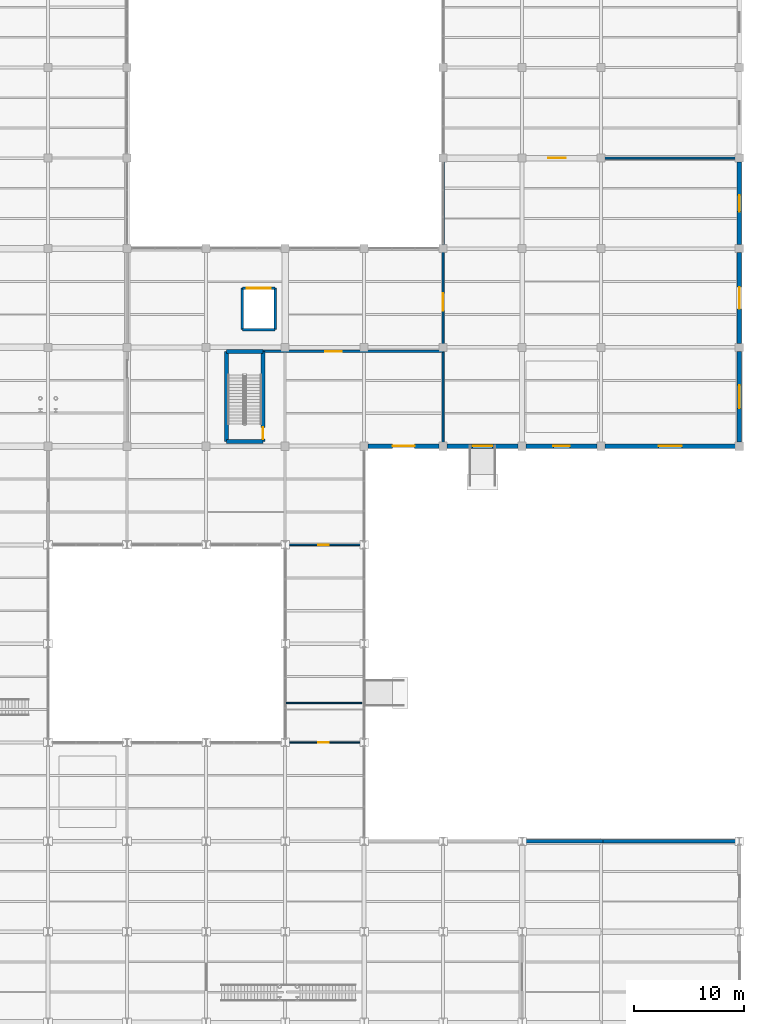
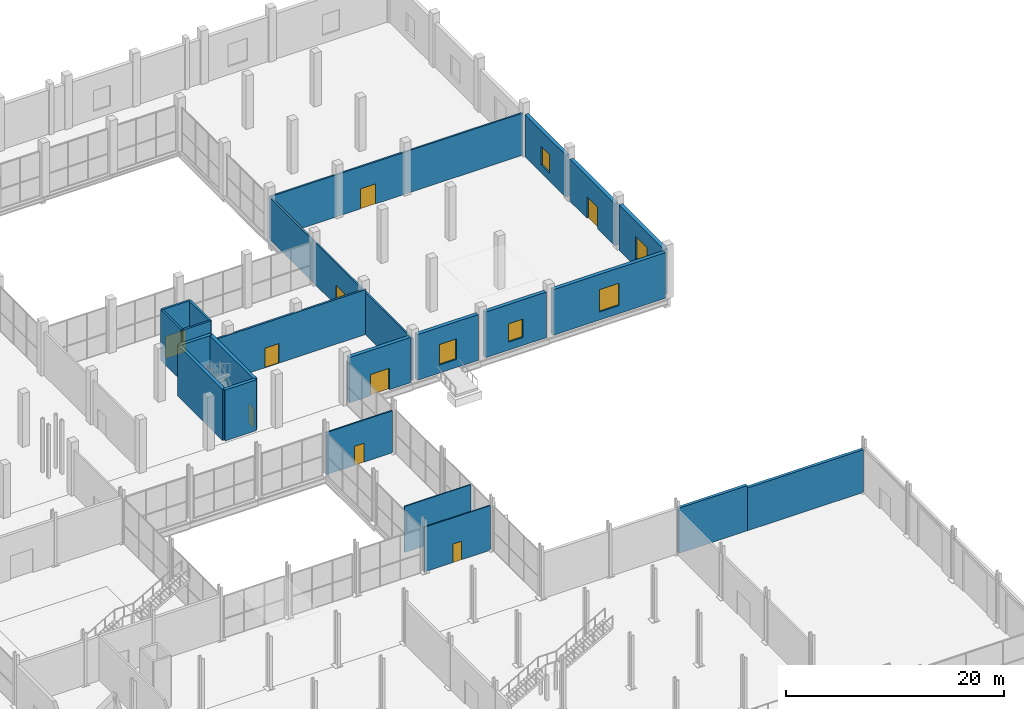
# One storey, part 131 of 144: 23 walls, 9 doors, 5 windows, 14 openings.
"""IFC4 building model written with IfcOpenShell, lengths in metres."""

from ifc_helpers import new_model, si_unit, direction, frame, frame_2d, origin, place, context, subcontext, project, spatial, rectangle, extrude, material, layer, layer_set, type_object, element, fill, save


model = new_model("IFC4")

# Units and contexts
model_context = context("Model", 3, precision=1e-05, world=origin(), true_north=direction((0.0, 1.0)))
body_context = subcontext(model_context, "Body", "Model", "MODEL_VIEW")
ifc_project = project(units=[si_unit("LENGTHUNIT", "METRE"), si_unit("AREAUNIT", "SQUARE_METRE"), si_unit("VOLUMEUNIT", "CUBIC_METRE"), si_unit("PLANEANGLEUNIT", "RADIAN"), si_unit("MASSUNIT", "GRAM", prefix="KILO")], contexts=[model_context])

# Site, building, storey
site_placement = place(None, origin())
site = spatial("IfcSite", under=ifc_project, at=site_placement, CompositionType="ELEMENT")
building_placement = place(site_placement, origin())
building = spatial("IfcBuilding", under=site, at=building_placement, Name="Sundgate Opera House", CompositionType="ELEMENT")
storey_placement = place(building_placement, origin())
storey = spatial("IfcBuildingStorey", under=building, at=storey_placement, Name="L00", CompositionType="ELEMENT", Elevation=0.0)

# Walls
ifc_material_1 = material(Name="Concrete C40/50", Category="concrete")
ifc_layer_1 = layer(ifc_material_1, 0.35009765625)
ifc_layer_set_1 = layer_set([ifc_layer_1], Name="Concrete C40/50")
wall_type_1 = type_object("IfcWallType", Name="WL-CORE-350", PredefinedType="SHEAR", material=ifc_layer_set_1)
for number, where, z_axis, x_axis, name in (
    (1, (133.260009765625, 69.409912109375, 0.0), (0.0, 0.0, 1.0), (1.0, 0.0, 0.0), "L00 C6 South Shaft Wall"),
    (2, (133.260009765625, 77.639892578125, 0.0), (0.0, 0.0, 1.0), (1.0, 0.0, 0.0), "L00 C6 North Shaft Wall"),
):
    element("IfcWall", number, at=place(storey_placement, frame(where, z_axis=z_axis, x_axis=x_axis)), inside=storey, type_object=wall_type_1, Name=name, PredefinedType="SHEAR", context=body_context, shape_type="SweptSolid", body=[
        extrude(rectangle(XDim=3.330078125, YDim=0.35009765625, at=frame_2d((1.6650390625, 0.0))), origin(), (0.0, 0.0, 1.0), 5.699951171875),
    ])
wall_1_placement = place(storey_placement, frame((133.260009765625, 69.409912109375, 0.0), z_axis=(0.0, 0.0, 1.0), x_axis=(0.0, 1.0, 0.0)))
element("IfcWall", 3, at=wall_1_placement, inside=storey, type_object=wall_type_1, Name="L00 C6 West Shaft Wall", PredefinedType="SHEAR", context=body_context, shape_type="SweptSolid", body=[
    extrude(rectangle(XDim=8.22998046875, YDim=0.35009765625, at=frame_2d((4.114990234375, 0.0))), origin(), (0.0, 0.0, 1.0), 5.699951171875),
])

# Wall, opening, door
wall_2_placement = place(storey_placement, frame((136.590087890625, 69.409912109375, 0.0), z_axis=(0.0, 0.0, 1.0), x_axis=(0.0, 1.0, 0.0)))
wall_2 = element("IfcWall", 4, at=wall_2_placement, inside=storey, type_object=wall_type_1, Name="L00 C6 East Shaft Wall", PredefinedType="SHEAR", context=body_context, shape_type="SweptSolid", body=[
    extrude(rectangle(XDim=8.22998046875, YDim=0.35009765625, at=frame_2d((4.114990234375, 0.0))), origin(), (0.0, 0.0, 1.0), 5.699951171875),
])
opening_1_placement = place(wall_2_placement, frame((0.239990234375, 0.0, 0.0)))
opening_1 = element("IfcOpeningElement", 5, at=opening_1_placement, cuts=wall_2, Name="Opening DI01", PredefinedType="OPENING", context=body_context, shape_type="SweptSolid", body=[
    extrude(rectangle(XDim=1.050048828125, YDim=2.179931640625, at=frame_2d((0.52490234375, 1.08984375))), frame((0.0, 0.18505859375, 0.0), z_axis=(0.0, -1.0, 0.0), x_axis=(1.0, 0.0, 0.0)), (0.0, 0.0, 1.0), 0.3701171875),
])
ifc_material_2 = material(Name="Acoustic hardwood timber and steel core", Category="steel")
door_type_1 = type_object("IfcDoorType", Name="DR-STAIR-1050x2180", OperationType="NOTDEFINED", PredefinedType="DOOR", material=ifc_material_2)
door_1_placement = place(opening_1_placement, origin())
door_1 = element("IfcDoor", 6, at=door_1_placement, inside=storey, type_object=door_type_1, Name="L00 C6 Stair Door D0079", OperationType="SINGLE_SWING_LEFT", OverallHeight=2.179931640625, OverallWidth=1.050048828125, PredefinedType="DOOR", context=body_context, shape_type="SweptSolid", body=[
    extrude(rectangle(XDim=1.050048828125, YDim=2.179931640625, at=frame_2d((0.52490234375, 1.08984375))), frame((0.0, 0.02490234375, 0.0), z_axis=(0.0, -1.0, 0.0), x_axis=(1.0, 0.0, 0.0)), (0.0, 0.0, 1.0), 0.050048828125),
])
fill(opening_1, door_1)

# Wall, opening, window
ifc_material_3 = material(Name="Scanian red-brown facing brick masonry", Category="masonry")
ifc_layer_2 = layer(ifc_material_3, 0.389892578125)
ifc_layer_set_2 = layer_set([ifc_layer_2], Name="Scanian red-brown facing brick masonry")
wall_type_2 = type_object("IfcWallType", Name="WL-EXT-BRICK-390", PredefinedType="SOLIDWALL", material=ifc_layer_set_2)
wall_3_placement = place(storey_placement, frame((180.0, 77.6298828125, 0.0), z_axis=(0.0, 0.0, 1.0), x_axis=(0.0, -1.0, 0.0)))
wall_3 = element("IfcWall", 7, at=wall_3_placement, inside=storey, type_object=wall_type_2, Name="L00 Conservatory East Brick Wall W0181", PredefinedType="SOLIDWALL", context=body_context, shape_type="SweptSolid", body=[
    extrude(rectangle(XDim=8.259765625, YDim=0.389892578125, at=frame_2d((4.1298828125, 0.0))), origin(), (0.0, 0.0, 1.0), 5.074951171875),
])
opening_2_placement = place(wall_3_placement, frame((3.080078125, 0.0, 0.89990234375)))
opening_2 = element("IfcOpeningElement", 8, at=opening_2_placement, cuts=wall_3, Name="Opening W04", PredefinedType="OPENING", context=body_context, shape_type="SweptSolid", body=[
    extrude(rectangle(XDim=2.10009765625, YDim=2.5, at=frame_2d((1.050048828125, 1.25))), frame((0.0, 0.204833984375, 0.0), z_axis=(0.0, -1.0, 0.0), x_axis=(1.0, 0.0, 0.0)), (0.0, 0.0, 1.0), 0.409912109375),
])
ifc_material_4 = material(Name="Low-iron triple glazing in patinated bronze frame", Category="glass")
window_type_1 = type_object("IfcWindowType", Name="WN-CONS-2100x2500", PartitioningType="SINGLE_PANEL", PredefinedType="WINDOW", material=ifc_material_4)
window_1_placement = place(opening_2_placement, origin())
window_1 = element("IfcWindow", 9, at=window_1_placement, inside=storey, type_object=window_type_1, Name="L00 Conservatory Window WN0142", OverallHeight=2.5, OverallWidth=2.10009765625, PartitioningType="SINGLE_PANEL", PredefinedType="WINDOW", context=body_context, shape_type="SweptSolid", body=[
    extrude(rectangle(XDim=2.10009765625, YDim=2.5, at=frame_2d((1.050048828125, 1.25))), frame((0.0, 0.030029296875, 0.0), z_axis=(0.0, -1.0, 0.0), x_axis=(1.0, 0.0, 0.0)), (0.0, 0.0, 1.0), 0.06005859375),
])
fill(opening_2, window_1)

# Wall, opening, door
wall_4_placement = place(storey_placement, frame((180.0, 86.6298828125, 0.0), z_axis=(0.0, 0.0, 1.0), x_axis=(0.0, -1.0, 0.0)))
wall_4 = element("IfcWall", 10, at=wall_4_placement, inside=storey, type_object=wall_type_2, Name="L00 Conservatory East Brick Wall W0182", PredefinedType="SOLIDWALL", context=body_context, shape_type="SweptSolid", body=[
    extrude(rectangle(XDim=8.259765625, YDim=0.389892578125, at=frame_2d((4.1298828125, 0.0))), origin(), (0.0, 0.0, 1.0), 4.715087890625),
])
opening_3_placement = place(wall_4_placement, frame((3.1298828125, 0.0, 0.0)))
opening_3 = element("IfcOpeningElement", 11, at=opening_3_placement, cuts=wall_4, Name="Opening DE1", PredefinedType="OPENING", context=body_context, shape_type="SweptSolid", body=[
    extrude(rectangle(XDim=2.0, YDim=2.39990234375, at=frame_2d((1.0, 1.199951171875))), frame((0.0, 0.204833984375, 0.0), z_axis=(0.0, -1.0, 0.0), x_axis=(1.0, 0.0, 0.0)), (0.0, 0.0, 1.0), 0.409912109375),
])
ifc_material_5 = material(Name="Patinated bronze and laminated safety glass", Category="glass")
door_type_2 = type_object("IfcDoorType", Name="DR-EXIT-2000x2400", OperationType="NOTDEFINED", PredefinedType="DOOR", material=ifc_material_5)
door_2_placement = place(opening_3_placement, origin())
door_2 = element("IfcDoor", 12, at=door_2_placement, inside=storey, type_object=door_type_2, Name="L00 Final Exit Door E12", OperationType="DOUBLE_DOOR_SINGLE_SWING", OverallHeight=2.39990234375, OverallWidth=2.0, PredefinedType="DOOR", context=body_context, shape_type="SweptSolid", body=[
    extrude(rectangle(XDim=2.0, YDim=2.39990234375, at=frame_2d((1.0, 1.199951171875))), frame((0.0, 0.02490234375, 0.0), z_axis=(0.0, -1.0, 0.0), x_axis=(1.0, 0.0, 0.0)), (0.0, 0.0, 1.0), 0.050048828125),
])
fill(opening_3, door_2)

# Wall, opening, window
wall_5_placement = place(storey_placement, frame((180.0, 94.8798828125, 0.0), z_axis=(0.0, 0.0, 1.0), x_axis=(0.0, -1.0, 0.0)))
wall_5 = element("IfcWall", 13, at=wall_5_placement, inside=storey, type_object=wall_type_2, Name="L00 Conservatory East Brick Wall W0183", PredefinedType="SOLIDWALL", context=body_context, shape_type="SweptSolid", body=[
    extrude(rectangle(XDim=7.509765625, YDim=0.389892578125, at=frame_2d((3.7548828125, 0.0))), origin(), (0.0, 0.0, 1.0), 4.715087890625),
])
opening_4_placement = place(wall_5_placement, frame((3.0048828125, 0.0, 0.89990234375)))
opening_4 = element("IfcOpeningElement", 14, at=opening_4_placement, cuts=wall_5, Name="Opening W06", PredefinedType="OPENING", context=body_context, shape_type="SweptSolid", body=[
    extrude(rectangle(XDim=1.5, YDim=2.050048828125, at=frame_2d((0.75, 1.02490234375))), frame((0.0, 0.204833984375, 0.0), z_axis=(0.0, -1.0, 0.0), x_axis=(1.0, 0.0, 0.0)), (0.0, 0.0, 1.0), 0.409912109375),
])
ifc_material_6 = material(Name="Low-iron triple glazing in patinated bronze frame", Category="glass")
window_type_2 = type_object("IfcWindowType", Name="WN-CONS-1500x2050", PartitioningType="SINGLE_PANEL", PredefinedType="WINDOW", material=ifc_material_6)
window_2_placement = place(opening_4_placement, origin())
window_2 = element("IfcWindow", 15, at=window_2_placement, inside=storey, type_object=window_type_2, Name="L00 Conservatory Window WN0143", OverallHeight=2.050048828125, OverallWidth=1.5, PartitioningType="SINGLE_PANEL", PredefinedType="WINDOW", context=body_context, shape_type="SweptSolid", body=[
    extrude(rectangle(XDim=1.5, YDim=2.050048828125, at=frame_2d((0.75, 1.02490234375))), frame((0.0, 0.030029296875, 0.0), z_axis=(0.0, -1.0, 0.0), x_axis=(1.0, 0.0, 0.0)), (0.0, 0.0, 1.0), 0.06005859375),
])
fill(opening_4, window_2)

# Wall, opening, door
wall_6_placement = place(storey_placement, frame((152.6298828125, 69.0, 0.0), z_axis=(0.0, 0.0, 1.0), x_axis=(-1.0, 0.0, 0.0)))
wall_6 = element("IfcWall", 16, at=wall_6_placement, inside=storey, type_object=wall_type_2, Name="L00 Conservatory South Brick Wall W0193", PredefinedType="SOLIDWALL", context=body_context, shape_type="SweptSolid", body=[
    extrude(rectangle(XDim=6.4599609375, YDim=0.389892578125, at=frame_2d((3.22998046875, 0.0))), origin(), (0.0, 0.0, 1.0), 5.074951171875),
])
opening_5_placement = place(wall_6_placement, frame((2.22998046875, 0.0, 0.0)))
opening_5 = element("IfcOpeningElement", 17, at=opening_5_placement, cuts=wall_6, Name="Opening DE1", PredefinedType="OPENING", context=body_context, shape_type="SweptSolid", body=[
    extrude(rectangle(XDim=2.0, YDim=2.39990234375, at=frame_2d((1.0, 1.199951171875))), frame((0.0, 0.204833984375, 0.0), z_axis=(0.0, -1.0, 0.0), x_axis=(1.0, 0.0, 0.0)), (0.0, 0.0, 1.0), 0.409912109375),
])
door_3_placement = place(opening_5_placement, origin())
door_3 = element("IfcDoor", 18, at=door_3_placement, inside=storey, type_object=door_type_2, Name="L00 Final Exit Door E14", OperationType="DOUBLE_DOOR_SINGLE_SWING", OverallHeight=2.39990234375, OverallWidth=2.0, PredefinedType="DOOR", context=body_context, shape_type="SweptSolid", body=[
    extrude(rectangle(XDim=2.0, YDim=2.39990234375, at=frame_2d((1.0, 1.199951171875))), frame((0.0, 0.02490234375, 0.0), z_axis=(0.0, -1.0, 0.0), x_axis=(1.0, 0.0, 0.0)), (0.0, 0.0, 1.0), 0.050048828125),
])
fill(opening_5, door_3)

# Wall, opening, window
wall_7_placement = place(storey_placement, frame((159.830078125, 69.0, 0.0), z_axis=(0.0, 0.0, 1.0), x_axis=(-1.0, 0.0, 0.0)))
wall_7 = element("IfcWall", 19, at=wall_7_placement, inside=storey, type_object=wall_type_2, Name="L00 Conservatory South Brick Wall W0194", PredefinedType="SOLIDWALL", context=body_context, shape_type="SweptSolid", body=[
    extrude(rectangle(XDim=6.4599609375, YDim=0.389892578125, at=frame_2d((3.22998046875, 0.0))), origin(), (0.0, 0.0, 1.0), 5.114990234375),
])
opening_6_placement = place(wall_7_placement, frame((2.330078125, 0.0, 0.89990234375)))
opening_6 = element("IfcOpeningElement", 20, at=opening_6_placement, cuts=wall_7, Name="Opening W05", PredefinedType="OPENING", context=body_context, shape_type="SweptSolid", body=[
    extrude(rectangle(XDim=1.800048828125, YDim=2.300048828125, at=frame_2d((0.89990234375, 1.14990234375))), frame((0.0, 0.204833984375, 0.0), z_axis=(0.0, -1.0, 0.0), x_axis=(1.0, 0.0, 0.0)), (0.0, 0.0, 1.0), 0.409912109375),
])
ifc_material_7 = material(Name="Low-iron triple glazing in patinated bronze frame", Category="glass")
window_type_3 = type_object("IfcWindowType", Name="WN-CONS-1800x2300", PartitioningType="SINGLE_PANEL", PredefinedType="WINDOW", material=ifc_material_7)
window_3_placement = place(opening_6_placement, origin())
window_3 = element("IfcWindow", 21, at=window_3_placement, inside=storey, type_object=window_type_3, Name="L00 Conservatory Window WN0152", OverallHeight=2.300048828125, OverallWidth=1.800048828125, PartitioningType="SINGLE_PANEL", PredefinedType="WINDOW", context=body_context, shape_type="SweptSolid", body=[
    extrude(rectangle(XDim=1.800048828125, YDim=2.300048828125, at=frame_2d((0.89990234375, 1.14990234375))), frame((0.0, 0.030029296875, 0.0), z_axis=(0.0, -1.0, 0.0), x_axis=(1.0, 0.0, 0.0)), (0.0, 0.0, 1.0), 0.06005859375),
])
fill(opening_6, window_3)

wall_8_placement = place(storey_placement, frame((167.030029296875, 69.0, 0.0), z_axis=(0.0, 0.0, 1.0), x_axis=(-1.0, 0.0, 0.0)))
wall_8 = element("IfcWall", 22, at=wall_8_placement, inside=storey, type_object=wall_type_2, Name="L00 Conservatory South Brick Wall W0195", PredefinedType="SOLIDWALL", context=body_context, shape_type="SweptSolid", body=[
    extrude(rectangle(XDim=6.4599609375, YDim=0.389892578125, at=frame_2d((3.22998046875, 0.0))), origin(), (0.0, 0.0, 1.0), 5.114990234375),
])
opening_7_placement = place(wall_8_placement, frame((2.47998046875, 0.0, 0.89990234375)))
opening_7 = element("IfcOpeningElement", 23, at=opening_7_placement, cuts=wall_8, Name="Opening W06", PredefinedType="OPENING", context=body_context, shape_type="SweptSolid", body=[
    extrude(rectangle(XDim=1.5, YDim=2.050048828125, at=frame_2d((0.75, 1.02490234375))), frame((0.0, 0.204833984375, 0.0), z_axis=(0.0, -1.0, 0.0), x_axis=(1.0, 0.0, 0.0)), (0.0, 0.0, 1.0), 0.409912109375),
])
window_4_placement = place(opening_7_placement, origin())
window_4 = element("IfcWindow", 24, at=window_4_placement, inside=storey, type_object=window_type_2, Name="L00 Conservatory Window WN0153", OverallHeight=2.050048828125, OverallWidth=1.5, PartitioningType="SINGLE_PANEL", PredefinedType="WINDOW", context=body_context, shape_type="SweptSolid", body=[
    extrude(rectangle(XDim=1.5, YDim=2.050048828125, at=frame_2d((0.75, 1.02490234375))), frame((0.0, 0.030029296875, 0.0), z_axis=(0.0, -1.0, 0.0), x_axis=(1.0, 0.0, 0.0)), (0.0, 0.0, 1.0), 0.06005859375),
])
fill(opening_7, window_4)

wall_9_placement = place(storey_placement, frame((179.6298828125, 69.0, 0.0), z_axis=(0.0, 0.0, 1.0), x_axis=(-1.0, 0.0, 0.0)))
wall_9 = element("IfcWall", 25, at=wall_9_placement, inside=storey, type_object=wall_type_2, Name="L00 Conservatory South Brick Wall W0196", PredefinedType="SOLIDWALL", context=body_context, shape_type="SweptSolid", body=[
    extrude(rectangle(XDim=11.85986328125, YDim=0.389892578125, at=frame_2d((5.929931640625, 0.0))), origin(), (0.0, 0.0, 1.0), 5.114990234375),
])
opening_8_placement = place(wall_9_placement, frame((4.8798828125, 0.0, 0.89990234375)))
opening_8 = element("IfcOpeningElement", 26, at=opening_8_placement, cuts=wall_9, Name="Opening W04", PredefinedType="OPENING", context=body_context, shape_type="SweptSolid", body=[
    extrude(rectangle(XDim=2.10009765625, YDim=2.5, at=frame_2d((1.050048828125, 1.25))), frame((0.0, 0.204833984375, 0.0), z_axis=(0.0, -1.0, 0.0), x_axis=(1.0, 0.0, 0.0)), (0.0, 0.0, 1.0), 0.409912109375),
])
window_5_placement = place(opening_8_placement, origin())
window_5 = element("IfcWindow", 27, at=window_5_placement, inside=storey, type_object=window_type_1, Name="L00 Conservatory Window WN0154", OverallHeight=2.5, OverallWidth=2.10009765625, PartitioningType="SINGLE_PANEL", PredefinedType="WINDOW", context=body_context, shape_type="SweptSolid", body=[
    extrude(rectangle(XDim=2.10009765625, YDim=2.5, at=frame_2d((1.050048828125, 1.25))), frame((0.0, 0.030029296875, 0.0), z_axis=(0.0, -1.0, 0.0), x_axis=(1.0, 0.0, 0.0)), (0.0, 0.0, 1.0), 0.06005859375),
])
fill(opening_8, window_5)

# Walls
ifc_material_8 = material(Name="Precast concrete C40/50", Category="concrete")
ifc_layer_3 = layer(ifc_material_8, 0.31005859375)
ifc_layer_set_3 = layer_set([ifc_layer_3], Name="Precast concrete C40/50")
wall_type_3 = type_object("IfcWallType", Name="WL-EXT-DOCK-310", PredefinedType="SOLIDWALL", material=ifc_layer_set_3)
wall_10_placement = place(storey_placement, frame((160.344970703125, 33.0, 0.0), z_axis=(0.0, 0.0, 1.0), x_axis=(1.0, 0.0, 0.0)))
element("IfcWall", 28, at=wall_10_placement, inside=storey, type_object=wall_type_3, Name="L00 Logistics North Wall W0168", PredefinedType="SOLIDWALL", context=body_context, shape_type="SweptSolid", body=[
    extrude(rectangle(XDim=7.215087890625, YDim=0.31005859375, at=frame_2d((3.607421875, 0.0))), origin(), (0.0, 0.0, 1.0), 5.06494140625),
])
wall_11_placement = place(storey_placement, frame((167.239990234375, 33.0, 0.0), z_axis=(0.0, 0.0, 1.0), x_axis=(1.0, 0.0, 0.0)))
element("IfcWall", 29, at=wall_11_placement, inside=storey, type_object=wall_type_3, Name="L00 Logistics North Wall W0169", PredefinedType="SOLIDWALL", context=body_context, shape_type="SweptSolid", body=[
    extrude(rectangle(XDim=12.614990234375, YDim=0.31005859375, at=frame_2d((6.3076171875, 0.0))), origin(), (0.0, 0.0, 1.0), 4.7900390625),
])

# Wall, opening, door
ifc_material_9 = material(Name="Fire-rated corridor partition", Category="gypsum")
ifc_layer_4 = layer(ifc_material_9, 0.199951171875)
ifc_layer_set_4 = layer_set([ifc_layer_4], Name="Fire-rated corridor partition")
wall_type_4 = type_object("IfcWallType", Name="WL-INT-FIRE-200", PredefinedType="PARTITIONING", material=ifc_layer_set_4)
wall_12_placement = place(storey_placement, frame((136.60009765625, 77.639892578125, 0.0), z_axis=(0.0, 0.0, 1.0), x_axis=(1.0, 0.0, 0.0)))
wall_12 = element("IfcWall", 30, at=wall_12_placement, inside=storey, type_object=wall_type_4, Name="L00 Interior Partition W1003", PredefinedType="PARTITIONING", context=body_context, shape_type="SweptSolid", body=[
    extrude(rectangle(XDim=16.39990234375, YDim=0.199951171875, at=frame_2d((8.199951171875, 0.0))), origin(), (0.0, 0.0, 1.0), 5.014892578125),
])
opening_9_placement = place(wall_12_placement, frame((5.662109375, 0.0, 0.0)))
opening_9 = element("IfcOpeningElement", 31, at=opening_9_placement, cuts=wall_12, Name="Opening DI07", PredefinedType="OPENING", context=body_context, shape_type="SweptSolid", body=[
    extrude(rectangle(XDim=1.5, YDim=2.199951171875, at=frame_2d((0.75, 1.10009765625))), frame((0.0, 0.10986328125, 0.0), z_axis=(0.0, -1.0, 0.0), x_axis=(1.0, 0.0, 0.0)), (0.0, 0.0, 1.0), 0.219970703125),
])
ifc_material_10 = material(Name="Acoustic hardwood timber and steel core", Category="steel")
door_type_3 = type_object("IfcDoorType", Name="DR-CORR-1500x2200", OperationType="DOUBLE_DOOR_SINGLE_SWING", PredefinedType="DOOR", material=ifc_material_10)
door_4_placement = place(opening_9_placement, origin())
door_4 = element("IfcDoor", 32, at=door_4_placement, inside=storey, type_object=door_type_3, Name="L00 Interior Door D0178", OperationType="DOUBLE_DOOR_SINGLE_SWING", OverallHeight=2.199951171875, OverallWidth=1.5, PredefinedType="DOOR", context=body_context, shape_type="SweptSolid", body=[
    extrude(rectangle(XDim=1.5, YDim=2.199951171875, at=frame_2d((0.75, 1.10009765625))), frame((0.0, 0.02490234375, 0.0), z_axis=(0.0, -1.0, 0.0), x_axis=(1.0, 0.0, 0.0)), (0.0, 0.0, 1.0), 0.050048828125),
])
fill(opening_9, door_4)

# Wall
ifc_material_11 = material(Name="Fire-rated gypsum and mineral-wool shaft partition", Category="gypsum")
ifc_layer_5 = layer(ifc_material_11, 0.219970703125)
ifc_layer_set_5 = layer_set([ifc_layer_5], Name="Fire-rated gypsum and mineral-wool shaft partition")
wall_type_5 = type_object("IfcWallType", Name="WL-INT-FIRE-220", PredefinedType="PARTITIONING", material=ifc_layer_set_5)
wall_13_placement = place(storey_placement, frame((134.7099609375, 79.610107421875, 0.0), z_axis=(0.0, 0.0, 1.0), x_axis=(1.0, 0.0, 0.0)))
element("IfcWall", 33, at=wall_13_placement, inside=storey, type_object=wall_type_5, Name="L00 GL-01 South Shaft Wall", PredefinedType="PARTITIONING", context=body_context, shape_type="SweptSolid", body=[
    extrude(rectangle(XDim=2.97998046875, YDim=0.219970703125, at=frame_2d((1.489990234375, 0.0))), origin(), (0.0, 0.0, 1.0), 5.6650390625),
])

# Wall, opening, door
wall_14_placement = place(storey_placement, frame((134.7099609375, 83.389892578125, 0.0), z_axis=(0.0, 0.0, 1.0), x_axis=(1.0, 0.0, 0.0)))
wall_14 = element("IfcWall", 34, at=wall_14_placement, inside=storey, type_object=wall_type_5, Name="L00 GL-01 North Shaft Wall", PredefinedType="PARTITIONING", context=body_context, shape_type="SweptSolid", body=[
    extrude(rectangle(XDim=2.97998046875, YDim=0.219970703125, at=frame_2d((1.489990234375, 0.0))), origin(), (0.0, 0.0, 1.0), 5.6650390625),
])
opening_10_placement = place(wall_14_placement, frame((0.389892578125, 0.0, 0.0)))
opening_10 = element("IfcOpeningElement", 35, at=opening_10_placement, cuts=wall_14, Name="Opening LD3", PredefinedType="OPENING", context=body_context, shape_type="SweptSolid", body=[
    extrude(rectangle(XDim=2.199951171875, YDim=2.5, at=frame_2d((1.10009765625, 1.25))), frame((0.0, 0.119873046875, 0.0), z_axis=(0.0, -1.0, 0.0), x_axis=(1.0, 0.0, 0.0)), (0.0, 0.0, 1.0), 0.239990234375),
])
ifc_material_12 = material(Name="Brushed stainless steel EN 1.4301", Category="steel")
door_type_4 = type_object("IfcDoorType", Name="DR-LIFT-2200x2500", OperationType="DOUBLE_DOOR_SLIDING", PredefinedType="DOOR", material=ifc_material_12)
door_5_placement = place(opening_10_placement, origin())
door_5 = element("IfcDoor", 36, at=door_5_placement, inside=storey, type_object=door_type_4, Name="L00 GL-01 Landing Door D0145", OperationType="DOUBLE_DOOR_SLIDING", OverallHeight=2.5, OverallWidth=2.199951171875, PredefinedType="DOOR", context=body_context, shape_type="SweptSolid", body=[
    extrude(rectangle(XDim=2.199951171875, YDim=2.5, at=frame_2d((1.10009765625, 1.25))), frame((0.0, 0.02490234375, 0.0), z_axis=(0.0, -1.0, 0.0), x_axis=(1.0, 0.0, 0.0)), (0.0, 0.0, 1.0), 0.050048828125),
])
fill(opening_10, door_5)

# Walls
for number, where, z_axis, x_axis, name in (
    (37, (134.7099609375, 79.610107421875, 0.0), (0.0, 0.0, 1.0), (0.0, 1.0, 0.0), "L00 GL-01 West Shaft Wall"),
    (38, (137.68994140625, 79.610107421875, 0.0), (0.0, 0.0, 1.0), (0.0, 1.0, 0.0), "L00 GL-01 East Shaft Wall"),
):
    element("IfcWall", number, at=place(storey_placement, frame(where, z_axis=z_axis, x_axis=x_axis)), inside=storey, type_object=wall_type_5, Name=name, PredefinedType="PARTITIONING", context=body_context, shape_type="SweptSolid", body=[
        extrude(rectangle(XDim=3.77978515625, YDim=0.219970703125, at=frame_2d((1.889892578125, 0.0))), origin(), (0.0, 0.0, 1.0), 5.6650390625),
    ])

# Wall, opening, door
ifc_material_13 = material(Name="General studio partition", Category="gypsum")
ifc_layer_6 = layer(ifc_material_13, 0.14501953125)
ifc_layer_set_6 = layer_set([ifc_layer_6], Name="General studio partition")
wall_type_6 = type_object("IfcWallType", Name="WL-INT-PART-145", PredefinedType="PARTITIONING", material=ifc_layer_set_6)
wall_15_placement = place(storey_placement, frame((138.60009765625, 60.0, 0.0), z_axis=(0.0, 0.0, 1.0), x_axis=(1.0, 0.0, 0.0)))
wall_15 = element("IfcWall", 39, at=wall_15_placement, inside=storey, type_object=wall_type_6, Name="L00 Interior Partition W1011", PredefinedType="PARTITIONING", context=body_context, shape_type="SweptSolid", body=[
    extrude(rectangle(XDim=7.0, YDim=0.14501953125, at=frame_2d((3.5, 0.0))), origin(), (0.0, 0.0, 1.0), 4.715087890625),
])
opening_11_placement = place(wall_15_placement, frame((3.0, 0.0, 0.0)))
opening_11 = element("IfcOpeningElement", 40, at=opening_11_placement, cuts=wall_15, Name="Opening DI10", PredefinedType="OPENING", context=body_context, shape_type="SweptSolid", body=[
    extrude(rectangle(XDim=1.0, YDim=2.1201171875, at=frame_2d((0.5, 1.06005859375))), frame((0.0, 0.08251953125, 0.0), z_axis=(0.0, -1.0, 0.0), x_axis=(1.0, 0.0, 0.0)), (0.0, 0.0, 1.0), 0.1650390625),
])
ifc_material_14 = material(Name="Acoustic hardwood timber and steel core", Category="steel")
door_type_5 = type_object("IfcDoorType", Name="DR-UNR-1000x2120", OperationType="NOTDEFINED", PredefinedType="DOOR", material=ifc_material_14)
door_6_placement = place(opening_11_placement, origin())
door_6 = element("IfcDoor", 41, at=door_6_placement, inside=storey, type_object=door_type_5, Name="L00 Interior Door D0185", OperationType="SINGLE_SWING_RIGHT", OverallHeight=2.1201171875, OverallWidth=1.0, PredefinedType="DOOR", context=body_context, shape_type="SweptSolid", body=[
    extrude(rectangle(XDim=1.0, YDim=2.1201171875, at=frame_2d((0.5, 1.06005859375))), frame((0.0, 0.02490234375, 0.0), z_axis=(0.0, -1.0, 0.0), x_axis=(1.0, 0.0, 0.0)), (0.0, 0.0, 1.0), 0.050048828125),
])
fill(opening_11, door_6)

ifc_material_15 = material(Name="Acoustic rehearsal stud partition", Category="gypsum")
ifc_layer_7 = layer(ifc_material_15, 0.175048828125)
ifc_layer_set_7 = layer_set([ifc_layer_7], Name="Acoustic rehearsal stud partition")
wall_type_7 = type_object("IfcWallType", Name="WL-INT-PART-175", PredefinedType="PARTITIONING", material=ifc_layer_set_7)
wall_16_placement = place(storey_placement, frame((153.0, 69.0, 0.0), z_axis=(0.0, 0.0, 1.0), x_axis=(0.0, 1.0, 0.0)))
wall_16 = element("IfcWall", 42, at=wall_16_placement, inside=storey, type_object=wall_type_7, Name="L00 Interior Partition W1015", PredefinedType="PARTITIONING", context=body_context, shape_type="SweptSolid", body=[
    extrude(rectangle(XDim=26.25, YDim=0.175048828125, at=frame_2d((13.125, 0.0))), origin(), (0.0, 0.0, 1.0), 4.715087890625),
])
opening_12_placement = place(wall_16_placement, frame((12.324951171875, 0.0, 0.0)))
opening_12 = element("IfcOpeningElement", 43, at=opening_12_placement, cuts=wall_16, Name="Opening DI06", PredefinedType="OPENING", context=body_context, shape_type="SweptSolid", body=[
    extrude(rectangle(XDim=1.60009765625, YDim=2.25, at=frame_2d((0.800048828125, 1.125))), frame((0.0, 0.097412109375, 0.0), z_axis=(0.0, -1.0, 0.0), x_axis=(1.0, 0.0, 0.0)), (0.0, 0.0, 1.0), 0.195068359375),
])
ifc_material_16 = material(Name="Acoustic hardwood timber and steel core", Category="steel")
door_type_6 = type_object("IfcDoorType", Name="DR-REH-1600x2250", OperationType="DOUBLE_DOOR_SINGLE_SWING", PredefinedType="DOOR", material=ifc_material_16)
door_7_placement = place(opening_12_placement, origin())
door_7 = element("IfcDoor", 44, at=door_7_placement, inside=storey, type_object=door_type_6, Name="L00 Interior Door D0189", OperationType="DOUBLE_DOOR_SINGLE_SWING", OverallHeight=2.25, OverallWidth=1.60009765625, PredefinedType="DOOR", context=body_context, shape_type="SweptSolid", body=[
    extrude(rectangle(XDim=1.60009765625, YDim=2.25, at=frame_2d((0.800048828125, 1.125))), frame((0.0, 0.02490234375, 0.0), z_axis=(0.0, -1.0, 0.0), x_axis=(1.0, 0.0, 0.0)), (0.0, 0.0, 1.0), 0.050048828125),
])
fill(opening_12, door_7)

wall_17_placement = place(storey_placement, frame((153.0, 95.25, 0.0), z_axis=(0.0, 0.0, 1.0), x_axis=(1.0, 0.0, 0.0)))
wall_17 = element("IfcWall", 45, at=wall_17_placement, inside=storey, type_object=wall_type_7, Name="L00 Interior Partition W1016", PredefinedType="PARTITIONING", context=body_context, shape_type="SweptSolid", body=[
    extrude(rectangle(XDim=26.800048828125, YDim=0.175048828125, at=frame_2d((13.39990234375, 0.0))), origin(), (0.0, 0.0, 1.0), 4.715087890625),
])
opening_13_placement = place(wall_17_placement, frame((9.575927734375, 0.0, 0.0)))
opening_13 = element("IfcOpeningElement", 46, at=opening_13_placement, cuts=wall_17, Name="Opening DI06", PredefinedType="OPENING", context=body_context, shape_type="SweptSolid", body=[
    extrude(rectangle(XDim=1.60009765625, YDim=2.25, at=frame_2d((0.800048828125, 1.125))), frame((0.0, 0.097412109375, 0.0), z_axis=(0.0, -1.0, 0.0), x_axis=(1.0, 0.0, 0.0)), (0.0, 0.0, 1.0), 0.195068359375),
])
door_8_placement = place(opening_13_placement, origin())
door_8 = element("IfcDoor", 47, at=door_8_placement, inside=storey, type_object=door_type_6, Name="L00 Interior Door D0190", OperationType="DOUBLE_DOOR_SINGLE_SWING", OverallHeight=2.25, OverallWidth=1.60009765625, PredefinedType="DOOR", context=body_context, shape_type="SweptSolid", body=[
    extrude(rectangle(XDim=1.60009765625, YDim=2.25, at=frame_2d((0.800048828125, 1.125))), frame((0.0, 0.02490234375, 0.0), z_axis=(0.0, -1.0, 0.0), x_axis=(1.0, 0.0, 0.0)), (0.0, 0.0, 1.0), 0.050048828125),
])
fill(opening_13, door_8)

ifc_material_17 = material(Name="Moisture-resistant sanitary partition", Category="gypsum")
ifc_layer_8 = layer(ifc_material_17, 0.114990234375)
ifc_layer_set_8 = layer_set([ifc_layer_8], Name="Moisture-resistant sanitary partition")
wall_type_8 = type_object("IfcWallType", Name="WL-INT-WET-115", PredefinedType="PARTITIONING", material=ifc_layer_set_8)
wall_18_placement = place(storey_placement, frame((138.60009765625, 42.0, 0.0), z_axis=(0.0, 0.0, 1.0), x_axis=(1.0, 0.0, 0.0)))
wall_18 = element("IfcWall", 48, at=wall_18_placement, inside=storey, type_object=wall_type_8, Name="L00 Interior Partition W1009", PredefinedType="PARTITIONING", context=body_context, shape_type="SweptSolid", body=[
    extrude(rectangle(XDim=7.0, YDim=0.114990234375, at=frame_2d((3.5, 0.0))), origin(), (0.0, 0.0, 1.0), 5.014892578125),
])
opening_14_placement = place(wall_18_placement, frame((3.0400390625, 0.0, 0.0)))
opening_14 = element("IfcOpeningElement", 49, at=opening_14_placement, cuts=wall_18, Name="Opening DI12", PredefinedType="OPENING", context=body_context, shape_type="SweptSolid", body=[
    extrude(rectangle(XDim=0.919921875, YDim=2.080078125, at=frame_2d((0.4599609375, 1.0400390625))), frame((0.0, 0.0673828125, 0.0), z_axis=(0.0, -1.0, 0.0), x_axis=(1.0, 0.0, 0.0)), (0.0, 0.0, 1.0), 0.135009765625),
])
ifc_material_18 = material(Name="Acoustic hardwood timber and steel core", Category="steel")
door_type_7 = type_object("IfcDoorType", Name="DR-WC-920x2080", OperationType="NOTDEFINED", PredefinedType="DOOR", material=ifc_material_18)
door_9_placement = place(opening_14_placement, origin())
door_9 = element("IfcDoor", 50, at=door_9_placement, inside=storey, type_object=door_type_7, Name="L00 Interior Door D0184", OperationType="SINGLE_SWING_LEFT", OverallHeight=2.080078125, OverallWidth=0.919921875, PredefinedType="DOOR", context=body_context, shape_type="SweptSolid", body=[
    extrude(rectangle(XDim=0.919921875, YDim=2.080078125, at=frame_2d((0.4599609375, 1.0400390625))), frame((0.0, 0.02490234375, 0.0), z_axis=(0.0, -1.0, 0.0), x_axis=(1.0, 0.0, 0.0)), (0.0, 0.0, 1.0), 0.050048828125),
])
fill(opening_14, door_9)

# Wall
wall_19_placement = place(storey_placement, frame((138.60009765625, 45.60009765625, 0.0), z_axis=(0.0, 0.0, 1.0), x_axis=(1.0, 0.0, 0.0)))
element("IfcWall", 51, at=wall_19_placement, inside=storey, type_object=wall_type_8, Name="L00 Interior Partition W1010", PredefinedType="PARTITIONING", context=body_context, shape_type="SweptSolid", body=[
    extrude(rectangle(XDim=7.0, YDim=0.114990234375, at=frame_2d((3.5, 0.0))), origin(), (0.0, 0.0, 1.0), 5.1650390625),
])

save(model, "model.ifc")
